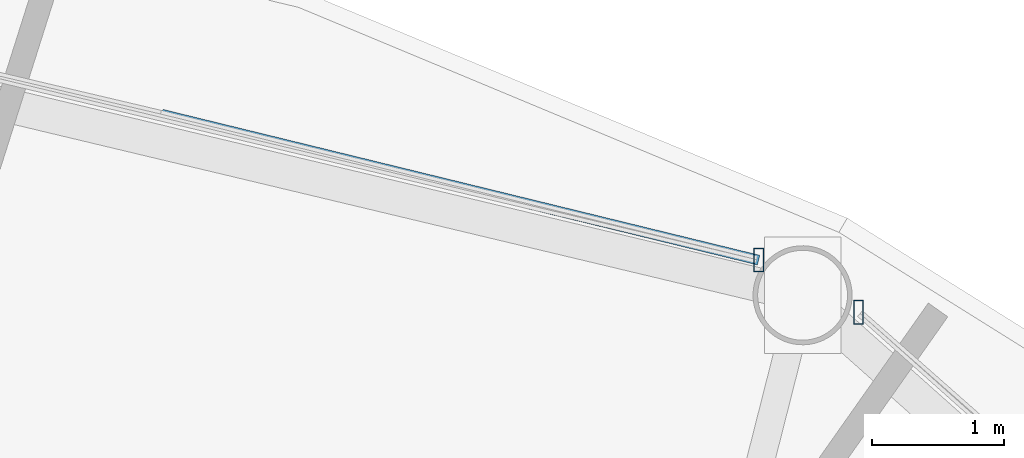
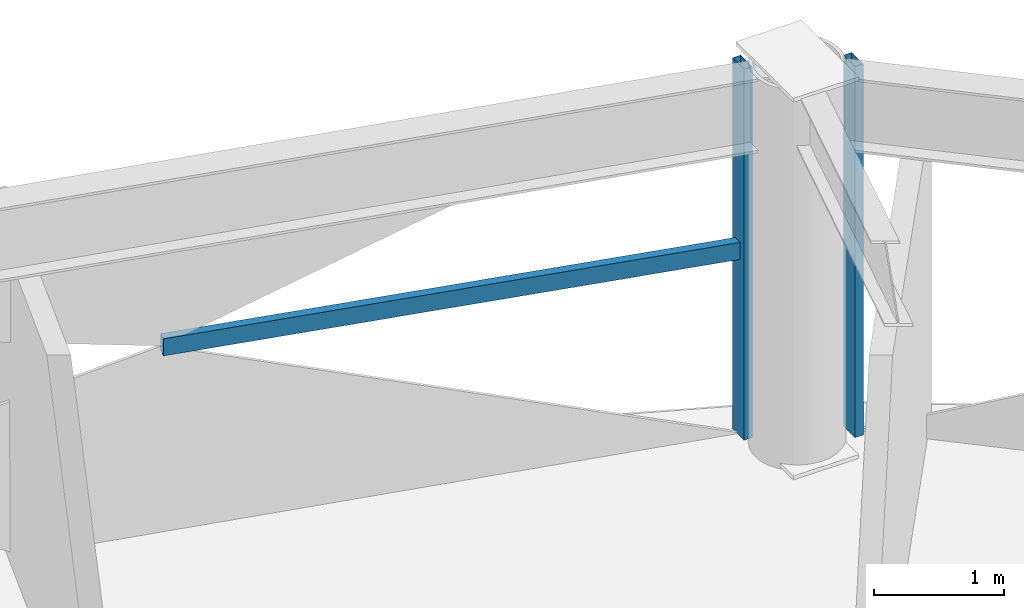
# One storey, part 21 of 31: 3 members, 2 elements without a shape of their own.
"""IFC4 building model written with IfcOpenShell, lengths in metres."""

from ifc_helpers import new_model, si_unit, direction, frame, origin, origin_2d, place, context, subcontext, project, spatial, hollow_rectangle, extrude, material, layer, layer_set, material_profile, profile_set, type_object, element, aggregate, save


model = new_model("IFC4")

# Units and contexts
model_context = context("Model", 3, precision=1e-05, world=origin(), true_north=direction((0.0, 1.0)))
body_context = subcontext(model_context, "Body", "Model", "MODEL_VIEW")
ifc_project = project(units=[si_unit("LENGTHUNIT", "METRE"), si_unit("AREAUNIT", "SQUARE_METRE"), si_unit("VOLUMEUNIT", "CUBIC_METRE"), si_unit("PLANEANGLEUNIT", "RADIAN"), si_unit("MASSUNIT", "GRAM", prefix="KILO")], contexts=[model_context])

# Site, building, storey
site_placement = place(None, origin())
site = spatial("IfcSite", under=ifc_project, at=site_placement, CompositionType="ELEMENT")
building_placement = place(site_placement, origin())
building = spatial("IfcBuilding", under=site, at=building_placement, Name="Vantalir Tower", CompositionType="ELEMENT")
storey_placement = place(building_placement, frame((0.0, 0.0, 123.449951171875)))
storey = spatial("IfcBuildingStorey", under=building, at=storey_placement, Name="L30", CompositionType="ELEMENT", Elevation=123.449951171875)

# Curtain wall, member
ifc_material_1 = material(Name="Champagne-silver PVDF aluminium and double-silver Low-E glass", Category="aluminium")
ifc_layer = layer(ifc_material_1, 0.199951171875)
ifc_layer_set = layer_set([ifc_layer], Name="Champagne-silver PVDF aluminium and double-silver Low-E glass")
curtain_wall_type = type_object("IfcCurtainWallType", Name="CW-DIAMOND-Z2", PredefinedType="USERDEFINED", material=ifc_layer_set)
curtain_wall_1_placement = place(storey_placement, origin())
curtain_wall_1 = element("IfcCurtainWall", 1, at=curtain_wall_1_placement, inside=storey, type_object=curtain_wall_type, Name="L30 Quilted Pyramid-Diamond Curtain Wall S02", ObjectType="UNITISED CURTAIN WALL", PredefinedType="USERDEFINED")
ifc_material_2 = material(Name="Champagne-silver PVDF aluminium 6063-T6", Category="aluminium")
ifc_material_profile_1 = material_profile(ifc_material_2, hollow_rectangle(XDim=0.074951171875, YDim=0.179931640625, WallThickness=0.00390625, at=origin_2d()), Name="Champagne-silver PVDF aluminium 6063-T6")
ifc_profile_set_1 = profile_set([ifc_material_profile_1], Name="Champagne-silver PVDF aluminium 6063-T6")
member_type_1 = type_object("IfcMemberType", Name="CWM-180x75", PredefinedType="MULLION", material=ifc_profile_set_1)
member_1_placement = place(storey_placement, frame((44.593017578125, 44.4140625, 0.045166015625), z_axis=(0.0, 0.0, 1.0), x_axis=(1.0, 0.0, 0.0)))
member_1 = element("IfcMember", 2, at=member_1_placement, type_object=member_type_1, Name="CW-L30-S02 Mullion 2", PredefinedType="MULLION", context=body_context, shape_type="SweptSolid", body=[
    extrude(hollow_rectangle(XDim=0.074951171875, YDim=0.179931640625, WallThickness=0.00390625, at=origin_2d()), origin(), (0.0, 0.0, 1.0), 3.47998046875),
])
aggregate(curtain_wall_1, [member_1])

# Curtain wall, members
curtain_wall_2_placement = place(storey_placement, origin())
curtain_wall_2 = element("IfcCurtainWall", 3, at=curtain_wall_2_placement, inside=storey, type_object=curtain_wall_type, Name="L30 Quilted Pyramid-Diamond Curtain Wall S03", ObjectType="UNITISED CURTAIN WALL", PredefinedType="USERDEFINED")
member_2_placement = place(storey_placement, frame((43.8369140625, 44.80908203125, 0.045166015625), z_axis=(0.0, 0.0, 1.0), x_axis=(1.0, 0.0, 0.0)))
member_2 = element("IfcMember", 4, at=member_2_placement, type_object=member_type_1, Name="CW-L30-S03 Mullion 1", PredefinedType="MULLION", context=body_context, shape_type="SweptSolid", body=[
    extrude(hollow_rectangle(XDim=0.074951171875, YDim=0.179931640625, WallThickness=0.00390625, at=origin_2d()), origin(), (0.0, 0.0, 1.0), 3.47998046875),
])
ifc_material_profile_2 = material_profile(ifc_material_2, hollow_rectangle(XDim=0.074951171875, YDim=0.159912109375, WallThickness=0.00390625, at=origin_2d()), Name="Champagne-silver PVDF aluminium 6063-T6")
ifc_profile_set_2 = profile_set([ifc_material_profile_2], Name="Champagne-silver PVDF aluminium 6063-T6")
member_type_2 = type_object("IfcMemberType", Name="CWT-160x75", PredefinedType="USERDEFINED", material=ifc_profile_set_2)
member_3_placement = place(storey_placement, frame((43.8369140625, 44.80908203125, 1.78515625), z_axis=(-0.971404658028, 0.237429969385, 0.0), x_axis=(-0.237429969385, -0.971404658028, 0.0)))
member_3 = element("IfcMember", 5, at=member_3_placement, type_object=member_type_2, Name="CW-L30-S03 Pyramid Fold Ridge Transom", ObjectType="TRANSOM", PredefinedType="USERDEFINED", context=body_context, shape_type="SweptSolid", body=[
    extrude(hollow_rectangle(XDim=0.074951171875, YDim=0.159912109375, WallThickness=0.00390625, at=origin_2d()), origin(), (0.0, 0.0, 1.0), 4.64990234375),
])
aggregate(curtain_wall_2, [member_2, member_3])

save(model, "model.ifc")
